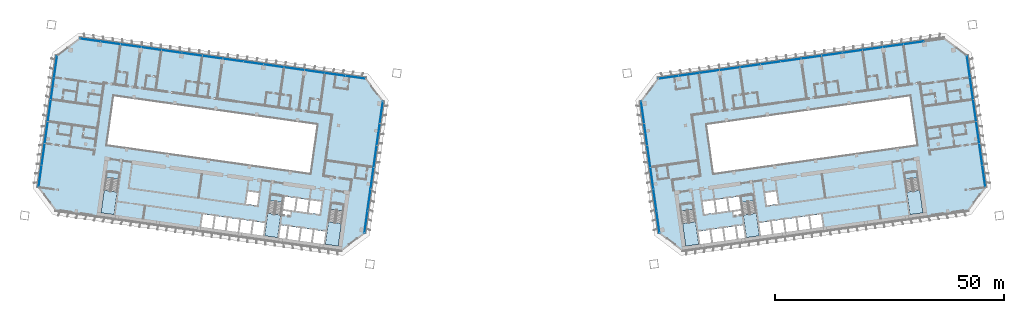
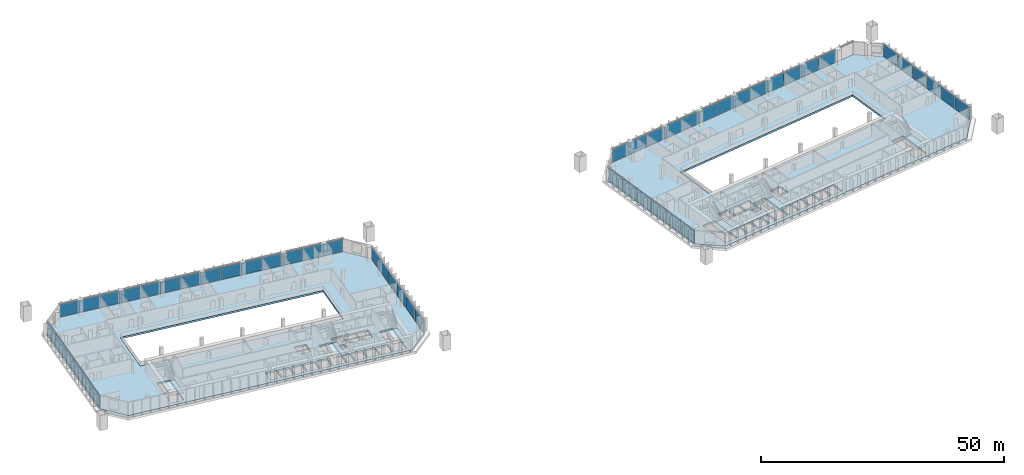
# One storey, part 12 of 24: 51 plates, 8 slabs, 12 elements without a shape of their own.
"""IFC4 building model written with IfcOpenShell, lengths in metres."""

from ifc_helpers import new_model, si_unit, direction, frame, origin, origin_2d, place, context, subcontext, project, spatial, polyline, rectangle, outline, extrude, material, layer, layer_set, type_object, element, aggregate, save


model = new_model("IFC4")

# Units and contexts
model_context = context("Model", 3, precision=1e-05, world=origin(), true_north=direction((0.0, 1.0)))
body_context = subcontext(model_context, "Body", "Model", "MODEL_VIEW")
ifc_project = project(units=[si_unit("LENGTHUNIT", "METRE"), si_unit("AREAUNIT", "SQUARE_METRE"), si_unit("VOLUMEUNIT", "CUBIC_METRE"), si_unit("PLANEANGLEUNIT", "RADIAN"), si_unit("MASSUNIT", "GRAM", prefix="KILO")], contexts=[model_context])

# Site, building, storey
site_placement = place(None, origin())
site = spatial("IfcSite", under=ifc_project, at=site_placement, CompositionType="ELEMENT")
building_placement = place(site_placement, origin())
building = spatial("IfcBuilding", under=site, at=building_placement, Name="Mirante Cascada Hotel Towers", CompositionType="ELEMENT")
storey_placement = place(building_placement, frame((0.0, 0.0, 81.3)))
storey = spatial("IfcBuildingStorey", under=building, at=storey_placement, Name="L17", CompositionType="ELEMENT", Elevation=81.3)

# Curtain wall, plates
ifc_material_1 = material(Name="Aluminium mullion and transom frame with clear laminated glass", Category="aluminium")
curtain_wall_type_1 = type_object("IfcCurtainWallType", Name="Ribbon curtain wall ECW1", PredefinedType="NOTDEFINED", material=ifc_material_1)
curtain_wall_1_placement = place(storey_placement, origin())
curtain_wall_1 = element("IfcCurtainWall", 1, at=curtain_wall_1_placement, inside=storey, type_object=curtain_wall_type_1, Name="Front ribbon wall T1 L17", PredefinedType="NOTDEFINED")
ifc_material_2 = material(Name="Clear laminated glass", Category="glass")
ifc_layer_1 = layer(ifc_material_2, 0.036)
ifc_layer_set_1 = layer_set([ifc_layer_1], Name="ECW1 glass panel 36")
plate_type_1 = type_object("IfcPlateType", Name="ECW1 glass panel 36", PredefinedType="CURTAIN_PANEL", material=ifc_layer_set_1)
plate_1_placement = place(storey_placement, frame((-91.9184, 25.7373, 0.1), z_axis=(0.0, 0.0, 1.0), x_axis=(0.9902681, -0.1391731, 0.0)))
plate_1 = element("IfcPlate", 2, at=plate_1_placement, type_object=plate_type_1, Name="ECW1 panel 1", PredefinedType="CURTAIN_PANEL", context=body_context, shape_type="SweptSolid", body=[
    extrude(rectangle(XDim=4.3936, YDim=0.036, at=origin_2d()), origin(), (0.0, 0.0, 1.0), 3.15),
])
plate_2_placement = place(storey_placement, frame((-87.487, 25.1145, 0.1), z_axis=(0.0, 0.0, 1.0), x_axis=(0.9902681, -0.1391731, 0.0)))
plate_2 = element("IfcPlate", 3, at=plate_2_placement, type_object=plate_type_1, Name="ECW1 panel 2", PredefinedType="CURTAIN_PANEL", context=body_context, shape_type="SweptSolid", body=[
    extrude(rectangle(XDim=4.4261, YDim=0.036, at=origin_2d()), origin(), (0.0, 0.0, 1.0), 3.15),
])
plate_3_placement = place(storey_placement, frame((-83.0396, 24.4895, 0.1), z_axis=(0.0, 0.0, 1.0), x_axis=(0.9902681, -0.1391731, 0.0)))
plate_3 = element("IfcPlate", 4, at=plate_3_placement, type_object=plate_type_1, Name="ECW1 panel 3", PredefinedType="CURTAIN_PANEL", context=body_context, shape_type="SweptSolid", body=[
    extrude(rectangle(XDim=4.4261, YDim=0.036, at=origin_2d()), origin(), (0.0, 0.0, 1.0), 3.15),
])
plate_4_placement = place(storey_placement, frame((-78.5922, 23.8644, 0.1), z_axis=(0.0, 0.0, 1.0), x_axis=(0.9902681, -0.1391731, 0.0)))
plate_4 = element("IfcPlate", 5, at=plate_4_placement, type_object=plate_type_1, Name="ECW1 panel 4", PredefinedType="CURTAIN_PANEL", context=body_context, shape_type="SweptSolid", body=[
    extrude(rectangle(XDim=4.4261, YDim=0.036, at=origin_2d()), origin(), (0.0, 0.0, 1.0), 3.15),
])
plate_5_placement = place(storey_placement, frame((-74.1448, 23.2394, 0.1), z_axis=(0.0, 0.0, 1.0), x_axis=(0.9902681, -0.1391731, 0.0)))
plate_5 = element("IfcPlate", 6, at=plate_5_placement, type_object=plate_type_1, Name="ECW1 panel 5", PredefinedType="CURTAIN_PANEL", context=body_context, shape_type="SweptSolid", body=[
    extrude(rectangle(XDim=4.4261, YDim=0.036, at=origin_2d()), origin(), (0.0, 0.0, 1.0), 3.15),
])
plate_6_placement = place(storey_placement, frame((-69.6974, 22.6144, 0.1), z_axis=(0.0, 0.0, 1.0), x_axis=(0.9902681, -0.1391731, 0.0)))
plate_6 = element("IfcPlate", 7, at=plate_6_placement, type_object=plate_type_1, Name="ECW1 panel 6", PredefinedType="CURTAIN_PANEL", context=body_context, shape_type="SweptSolid", body=[
    extrude(rectangle(XDim=4.4261, YDim=0.036, at=origin_2d()), origin(), (0.0, 0.0, 1.0), 3.15),
])
plate_7_placement = place(storey_placement, frame((-65.2499, 21.9893, 0.1), z_axis=(0.0, 0.0, 1.0), x_axis=(0.9902681, -0.1391731, 0.0)))
plate_7 = element("IfcPlate", 8, at=plate_7_placement, type_object=plate_type_1, Name="ECW1 panel 7", PredefinedType="CURTAIN_PANEL", context=body_context, shape_type="SweptSolid", body=[
    extrude(rectangle(XDim=4.4261, YDim=0.036, at=origin_2d()), origin(), (0.0, 0.0, 1.0), 3.15),
])
plate_8_placement = place(storey_placement, frame((-60.8025, 21.3643, 0.1), z_axis=(0.0, 0.0, 1.0), x_axis=(0.9902681, -0.1391731, 0.0)))
plate_8 = element("IfcPlate", 9, at=plate_8_placement, type_object=plate_type_1, Name="ECW1 panel 8", PredefinedType="CURTAIN_PANEL", context=body_context, shape_type="SweptSolid", body=[
    extrude(rectangle(XDim=4.4261, YDim=0.036, at=origin_2d()), origin(), (0.0, 0.0, 1.0), 3.15),
])
plate_9_placement = place(storey_placement, frame((-56.3551, 20.7392, 0.1), z_axis=(0.0, 0.0, 1.0), x_axis=(0.9902681, -0.1391731, 0.0)))
plate_9 = element("IfcPlate", 10, at=plate_9_placement, type_object=plate_type_1, Name="ECW1 panel 9", PredefinedType="CURTAIN_PANEL", context=body_context, shape_type="SweptSolid", body=[
    extrude(rectangle(XDim=4.4261, YDim=0.036, at=origin_2d()), origin(), (0.0, 0.0, 1.0), 3.15),
])
plate_10_placement = place(storey_placement, frame((-51.9077, 20.1142, 0.1), z_axis=(0.0, 0.0, 1.0), x_axis=(0.9902681, -0.1391731, 0.0)))
plate_10 = element("IfcPlate", 11, at=plate_10_placement, type_object=plate_type_1, Name="ECW1 panel 10", PredefinedType="CURTAIN_PANEL", context=body_context, shape_type="SweptSolid", body=[
    extrude(rectangle(XDim=4.4261, YDim=0.036, at=origin_2d()), origin(), (0.0, 0.0, 1.0), 3.15),
])
plate_11_placement = place(storey_placement, frame((-47.4603, 19.4891, 0.1), z_axis=(0.0, 0.0, 1.0), x_axis=(0.9902681, -0.1391731, 0.0)))
plate_11 = element("IfcPlate", 12, at=plate_11_placement, type_object=plate_type_1, Name="ECW1 panel 11", PredefinedType="CURTAIN_PANEL", context=body_context, shape_type="SweptSolid", body=[
    extrude(rectangle(XDim=4.4261, YDim=0.036, at=origin_2d()), origin(), (0.0, 0.0, 1.0), 3.15),
])
plate_12_placement = place(storey_placement, frame((-43.0129, 18.8641, 0.1), z_axis=(0.0, 0.0, 1.0), x_axis=(0.9902681, -0.1391731, 0.0)))
plate_12 = element("IfcPlate", 13, at=plate_12_placement, type_object=plate_type_1, Name="ECW1 panel 12", PredefinedType="CURTAIN_PANEL", context=body_context, shape_type="SweptSolid", body=[
    extrude(rectangle(XDim=4.4261, YDim=0.036, at=origin_2d()), origin(), (0.0, 0.0, 1.0), 3.15),
])
plate_13_placement = place(storey_placement, frame((-38.5654, 18.239, 0.1), z_axis=(0.0, 0.0, 1.0), x_axis=(0.9902681, -0.1391731, 0.0)))
plate_13 = element("IfcPlate", 14, at=plate_13_placement, type_object=plate_type_1, Name="ECW1 panel 13", PredefinedType="CURTAIN_PANEL", context=body_context, shape_type="SweptSolid", body=[
    extrude(rectangle(XDim=4.4261, YDim=0.036, at=origin_2d()), origin(), (0.0, 0.0, 1.0), 3.15),
])
plate_14_placement = place(storey_placement, frame((-34.1341, 17.6163, 0.1), z_axis=(0.0, 0.0, 1.0), x_axis=(0.9902681, -0.1391731, 0.0)))
plate_14 = element("IfcPlate", 15, at=plate_14_placement, type_object=plate_type_1, Name="ECW1 panel 14", PredefinedType="CURTAIN_PANEL", context=body_context, shape_type="SweptSolid", body=[
    extrude(rectangle(XDim=4.3936, YDim=0.036, at=origin_2d()), origin(), (0.0, 0.0, 1.0), 3.15),
])
aggregate(curtain_wall_1, [plate_1, plate_2, plate_3, plate_4, plate_5, plate_6, plate_7, plate_8, plate_9, plate_10, plate_11, plate_12, plate_13, plate_14])

curtain_wall_2_placement = place(storey_placement, origin())
curtain_wall_2 = element("IfcCurtainWall", 16, at=curtain_wall_2_placement, inside=storey, type_object=curtain_wall_type_1, Name="Front ribbon wall T2 L17", PredefinedType="NOTDEFINED")
plate_15_placement = place(storey_placement, frame((87.487, 25.1145, 0.1), z_axis=(0.0, 0.0, 1.0), x_axis=(-0.9902681, -0.1391731, 0.0)))
plate_15 = element("IfcPlate", 17, at=plate_15_placement, type_object=plate_type_1, Name="ECW1 panel 2", PredefinedType="CURTAIN_PANEL", context=body_context, shape_type="SweptSolid", body=[
    extrude(rectangle(XDim=4.4261, YDim=0.036, at=origin_2d()), origin(), (0.0, 0.0, 1.0), 3.15),
])
plate_16_placement = place(storey_placement, frame((83.0396, 24.4895, 0.1), z_axis=(0.0, 0.0, 1.0), x_axis=(-0.9902681, -0.1391731, 0.0)))
plate_16 = element("IfcPlate", 18, at=plate_16_placement, type_object=plate_type_1, Name="ECW1 panel 3", PredefinedType="CURTAIN_PANEL", context=body_context, shape_type="SweptSolid", body=[
    extrude(rectangle(XDim=4.4261, YDim=0.036, at=origin_2d()), origin(), (0.0, 0.0, 1.0), 3.15),
])
plate_17_placement = place(storey_placement, frame((78.5922, 23.8644, 0.1), z_axis=(0.0, 0.0, 1.0), x_axis=(-0.9902681, -0.1391731, 0.0)))
plate_17 = element("IfcPlate", 19, at=plate_17_placement, type_object=plate_type_1, Name="ECW1 panel 4", PredefinedType="CURTAIN_PANEL", context=body_context, shape_type="SweptSolid", body=[
    extrude(rectangle(XDim=4.4261, YDim=0.036, at=origin_2d()), origin(), (0.0, 0.0, 1.0), 3.15),
])
plate_18_placement = place(storey_placement, frame((74.1448, 23.2394, 0.1), z_axis=(0.0, 0.0, 1.0), x_axis=(-0.9902681, -0.1391731, 0.0)))
plate_18 = element("IfcPlate", 20, at=plate_18_placement, type_object=plate_type_1, Name="ECW1 panel 5", PredefinedType="CURTAIN_PANEL", context=body_context, shape_type="SweptSolid", body=[
    extrude(rectangle(XDim=4.4261, YDim=0.036, at=origin_2d()), origin(), (0.0, 0.0, 1.0), 3.15),
])
plate_19_placement = place(storey_placement, frame((69.6974, 22.6144, 0.1), z_axis=(0.0, 0.0, 1.0), x_axis=(-0.9902681, -0.1391731, 0.0)))
plate_19 = element("IfcPlate", 21, at=plate_19_placement, type_object=plate_type_1, Name="ECW1 panel 6", PredefinedType="CURTAIN_PANEL", context=body_context, shape_type="SweptSolid", body=[
    extrude(rectangle(XDim=4.4261, YDim=0.036, at=origin_2d()), origin(), (0.0, 0.0, 1.0), 3.15),
])
plate_20_placement = place(storey_placement, frame((65.2499, 21.9893, 0.1), z_axis=(0.0, 0.0, 1.0), x_axis=(-0.9902681, -0.1391731, 0.0)))
plate_20 = element("IfcPlate", 22, at=plate_20_placement, type_object=plate_type_1, Name="ECW1 panel 7", PredefinedType="CURTAIN_PANEL", context=body_context, shape_type="SweptSolid", body=[
    extrude(rectangle(XDim=4.4261, YDim=0.036, at=origin_2d()), origin(), (0.0, 0.0, 1.0), 3.15),
])
plate_21_placement = place(storey_placement, frame((60.8025, 21.3643, 0.1), z_axis=(0.0, 0.0, 1.0), x_axis=(-0.9902681, -0.1391731, 0.0)))
plate_21 = element("IfcPlate", 23, at=plate_21_placement, type_object=plate_type_1, Name="ECW1 panel 8", PredefinedType="CURTAIN_PANEL", context=body_context, shape_type="SweptSolid", body=[
    extrude(rectangle(XDim=4.4261, YDim=0.036, at=origin_2d()), origin(), (0.0, 0.0, 1.0), 3.15),
])
plate_22_placement = place(storey_placement, frame((56.3551, 20.7392, 0.1), z_axis=(0.0, 0.0, 1.0), x_axis=(-0.9902681, -0.1391731, 0.0)))
plate_22 = element("IfcPlate", 24, at=plate_22_placement, type_object=plate_type_1, Name="ECW1 panel 9", PredefinedType="CURTAIN_PANEL", context=body_context, shape_type="SweptSolid", body=[
    extrude(rectangle(XDim=4.4261, YDim=0.036, at=origin_2d()), origin(), (0.0, 0.0, 1.0), 3.15),
])
plate_23_placement = place(storey_placement, frame((51.9077, 20.1142, 0.1), z_axis=(0.0, 0.0, 1.0), x_axis=(-0.9902681, -0.1391731, 0.0)))
plate_23 = element("IfcPlate", 25, at=plate_23_placement, type_object=plate_type_1, Name="ECW1 panel 10", PredefinedType="CURTAIN_PANEL", context=body_context, shape_type="SweptSolid", body=[
    extrude(rectangle(XDim=4.4261, YDim=0.036, at=origin_2d()), origin(), (0.0, 0.0, 1.0), 3.15),
])
plate_24_placement = place(storey_placement, frame((47.4603, 19.4891, 0.1), z_axis=(0.0, 0.0, 1.0), x_axis=(-0.9902681, -0.1391731, 0.0)))
plate_24 = element("IfcPlate", 26, at=plate_24_placement, type_object=plate_type_1, Name="ECW1 panel 11", PredefinedType="CURTAIN_PANEL", context=body_context, shape_type="SweptSolid", body=[
    extrude(rectangle(XDim=4.4261, YDim=0.036, at=origin_2d()), origin(), (0.0, 0.0, 1.0), 3.15),
])
plate_25_placement = place(storey_placement, frame((43.0129, 18.8641, 0.1), z_axis=(0.0, 0.0, 1.0), x_axis=(-0.9902681, -0.1391731, 0.0)))
plate_25 = element("IfcPlate", 27, at=plate_25_placement, type_object=plate_type_1, Name="ECW1 panel 12", PredefinedType="CURTAIN_PANEL", context=body_context, shape_type="SweptSolid", body=[
    extrude(rectangle(XDim=4.4261, YDim=0.036, at=origin_2d()), origin(), (0.0, 0.0, 1.0), 3.15),
])
plate_26_placement = place(storey_placement, frame((38.5654, 18.239, 0.1), z_axis=(0.0, 0.0, 1.0), x_axis=(-0.9902681, -0.1391731, 0.0)))
plate_26 = element("IfcPlate", 28, at=plate_26_placement, type_object=plate_type_1, Name="ECW1 panel 13", PredefinedType="CURTAIN_PANEL", context=body_context, shape_type="SweptSolid", body=[
    extrude(rectangle(XDim=4.4261, YDim=0.036, at=origin_2d()), origin(), (0.0, 0.0, 1.0), 3.15),
])
plate_27_placement = place(storey_placement, frame((34.1341, 17.6163, 0.1), z_axis=(0.0, 0.0, 1.0), x_axis=(-0.9902681, -0.1391731, 0.0)))
plate_27 = element("IfcPlate", 29, at=plate_27_placement, type_object=plate_type_1, Name="ECW1 panel 14", PredefinedType="CURTAIN_PANEL", context=body_context, shape_type="SweptSolid", body=[
    extrude(rectangle(XDim=4.3936, YDim=0.036, at=origin_2d()), origin(), (0.0, 0.0, 1.0), 3.15),
])
aggregate(curtain_wall_2, [plate_15, plate_16, plate_17, plate_18, plate_19, plate_20, plate_21, plate_22, plate_23, plate_24, plate_25, plate_26, plate_27])

ifc_material_3 = material(Name="Aluminium mullion and transom frame with clear laminated glass", Category="aluminium")
curtain_wall_type_2 = type_object("IfcCurtainWallType", Name="End ribbon curtain wall ECW2", PredefinedType="NOTDEFINED", material=ifc_material_3)
curtain_wall_3_placement = place(storey_placement, origin())
curtain_wall_3 = element("IfcCurtainWall", 30, at=curtain_wall_3_placement, inside=storey, type_object=curtain_wall_type_2, Name="Inner end wall T1 L17", PredefinedType="NOTDEFINED")
ifc_material_4 = material(Name="Clear laminated glass", Category="glass")
ifc_layer_2 = layer(ifc_material_4, 0.034)
ifc_layer_set_2 = layer_set([ifc_layer_2], Name="ECW2 glass panel 34")
plate_type_2 = type_object("IfcPlateType", Name="ECW2 glass panel 34", PredefinedType="CURTAIN_PANEL", material=ifc_layer_set_2)
plate_28_placement = place(storey_placement, frame((-28.4763, 9.9193, 0.1), z_axis=(0.0, 0.0, 1.0), x_axis=(-0.1391731, -0.9902681, 0.0)))
plate_28 = element("IfcPlate", 31, at=plate_28_placement, type_object=plate_type_2, Name="ECW2 panel 1", PredefinedType="CURTAIN_PANEL", context=body_context, shape_type="SweptSolid", body=[
    extrude(rectangle(XDim=4.7151, YDim=0.034, at=origin_2d()), origin(), (0.0, 0.0, 1.0), 3.15),
])
plate_29_placement = place(storey_placement, frame((-29.1439, 5.1696, 0.1), z_axis=(0.0, 0.0, 1.0), x_axis=(-0.1391731, -0.9902681, 0.0)))
plate_29 = element("IfcPlate", 32, at=plate_29_placement, type_object=plate_type_2, Name="ECW2 panel 2", PredefinedType="CURTAIN_PANEL", context=body_context, shape_type="SweptSolid", body=[
    extrude(rectangle(XDim=4.7476, YDim=0.034, at=origin_2d()), origin(), (0.0, 0.0, 1.0), 3.15),
])
plate_30_placement = place(storey_placement, frame((-29.8136, 0.4038, 0.1), z_axis=(0.0, 0.0, 1.0), x_axis=(-0.1391731, -0.9902681, 0.0)))
plate_30 = element("IfcPlate", 33, at=plate_30_placement, type_object=plate_type_2, Name="ECW2 panel 3", PredefinedType="CURTAIN_PANEL", context=body_context, shape_type="SweptSolid", body=[
    extrude(rectangle(XDim=4.7476, YDim=0.034, at=origin_2d()), origin(), (0.0, 0.0, 1.0), 3.15),
])
plate_31_placement = place(storey_placement, frame((-30.4834, -4.362, 0.1), z_axis=(0.0, 0.0, 1.0), x_axis=(-0.1391731, -0.9902681, 0.0)))
plate_31 = element("IfcPlate", 34, at=plate_31_placement, type_object=plate_type_2, Name="ECW2 panel 4", PredefinedType="CURTAIN_PANEL", context=body_context, shape_type="SweptSolid", body=[
    extrude(rectangle(XDim=4.7476, YDim=0.034, at=origin_2d()), origin(), (0.0, 0.0, 1.0), 3.15),
])
plate_32_placement = place(storey_placement, frame((-31.1532, -9.1278, 0.1), z_axis=(0.0, 0.0, 1.0), x_axis=(-0.1391731, -0.9902681, 0.0)))
plate_32 = element("IfcPlate", 35, at=plate_32_placement, type_object=plate_type_2, Name="ECW2 panel 5", PredefinedType="CURTAIN_PANEL", context=body_context, shape_type="SweptSolid", body=[
    extrude(rectangle(XDim=4.7476, YDim=0.034, at=origin_2d()), origin(), (0.0, 0.0, 1.0), 3.15),
])
plate_33_placement = place(storey_placement, frame((-31.8207, -13.8775, 0.1), z_axis=(0.0, 0.0, 1.0), x_axis=(-0.1391731, -0.9902681, 0.0)))
plate_33 = element("IfcPlate", 36, at=plate_33_placement, type_object=plate_type_2, Name="ECW2 panel 6", PredefinedType="CURTAIN_PANEL", context=body_context, shape_type="SweptSolid", body=[
    extrude(rectangle(XDim=4.7151, YDim=0.034, at=origin_2d()), origin(), (0.0, 0.0, 1.0), 3.15),
])
aggregate(curtain_wall_3, [plate_28, plate_29, plate_30, plate_31, plate_32, plate_33])

curtain_wall_4_placement = place(storey_placement, origin())
curtain_wall_4 = element("IfcCurtainWall", 37, at=curtain_wall_4_placement, inside=storey, type_object=curtain_wall_type_2, Name="Outer end wall T1 L17", PredefinedType="NOTDEFINED")
plate_34_placement = place(storey_placement, frame((-102.823, -3.8988, 0.1), z_axis=(0.0, 0.0, 1.0), x_axis=(0.1391731, 0.9902681, 0.0)))
plate_34 = element("IfcPlate", 38, at=plate_34_placement, type_object=plate_type_2, Name="ECW2 panel 1", PredefinedType="CURTAIN_PANEL", context=body_context, shape_type="SweptSolid", body=[
    extrude(rectangle(XDim=4.7151, YDim=0.034, at=origin_2d()), origin(), (0.0, 0.0, 1.0), 3.15),
])
plate_35_placement = place(storey_placement, frame((-102.1554, 0.8509, 0.1), z_axis=(0.0, 0.0, 1.0), x_axis=(0.1391731, 0.9902681, 0.0)))
plate_35 = element("IfcPlate", 39, at=plate_35_placement, type_object=plate_type_2, Name="ECW2 panel 2", PredefinedType="CURTAIN_PANEL", context=body_context, shape_type="SweptSolid", body=[
    extrude(rectangle(XDim=4.7476, YDim=0.034, at=origin_2d()), origin(), (0.0, 0.0, 1.0), 3.15),
])
plate_36_placement = place(storey_placement, frame((-101.4857, 5.6167, 0.1), z_axis=(0.0, 0.0, 1.0), x_axis=(0.1391731, 0.9902681, 0.0)))
plate_36 = element("IfcPlate", 40, at=plate_36_placement, type_object=plate_type_2, Name="ECW2 panel 3", PredefinedType="CURTAIN_PANEL", context=body_context, shape_type="SweptSolid", body=[
    extrude(rectangle(XDim=4.7476, YDim=0.034, at=origin_2d()), origin(), (0.0, 0.0, 1.0), 3.15),
])
plate_37_placement = place(storey_placement, frame((-100.8159, 10.3825, 0.1), z_axis=(0.0, 0.0, 1.0), x_axis=(0.1391731, 0.9902681, 0.0)))
plate_37 = element("IfcPlate", 41, at=plate_37_placement, type_object=plate_type_2, Name="ECW2 panel 4", PredefinedType="CURTAIN_PANEL", context=body_context, shape_type="SweptSolid", body=[
    extrude(rectangle(XDim=4.7476, YDim=0.034, at=origin_2d()), origin(), (0.0, 0.0, 1.0), 3.15),
])
plate_38_placement = place(storey_placement, frame((-100.1461, 15.1483, 0.1), z_axis=(0.0, 0.0, 1.0), x_axis=(0.1391731, 0.9902681, 0.0)))
plate_38 = element("IfcPlate", 42, at=plate_38_placement, type_object=plate_type_2, Name="ECW2 panel 5", PredefinedType="CURTAIN_PANEL", context=body_context, shape_type="SweptSolid", body=[
    extrude(rectangle(XDim=4.7476, YDim=0.034, at=origin_2d()), origin(), (0.0, 0.0, 1.0), 3.15),
])
plate_39_placement = place(storey_placement, frame((-99.4786, 19.898, 0.1), z_axis=(0.0, 0.0, 1.0), x_axis=(0.1391731, 0.9902681, 0.0)))
plate_39 = element("IfcPlate", 43, at=plate_39_placement, type_object=plate_type_2, Name="ECW2 panel 6", PredefinedType="CURTAIN_PANEL", context=body_context, shape_type="SweptSolid", body=[
    extrude(rectangle(XDim=4.7151, YDim=0.034, at=origin_2d()), origin(), (0.0, 0.0, 1.0), 3.15),
])
aggregate(curtain_wall_4, [plate_34, plate_35, plate_36, plate_37, plate_38, plate_39])

curtain_wall_5_placement = place(storey_placement, origin())
curtain_wall_5 = element("IfcCurtainWall", 44, at=curtain_wall_5_placement, inside=storey, type_object=curtain_wall_type_2, Name="Inner end wall T2 L17", PredefinedType="NOTDEFINED")
plate_40_placement = place(storey_placement, frame((28.4763, 9.9193, 0.1), z_axis=(0.0, 0.0, 1.0), x_axis=(0.1391731, -0.9902681, 0.0)))
plate_40 = element("IfcPlate", 45, at=plate_40_placement, type_object=plate_type_2, Name="ECW2 panel 1", PredefinedType="CURTAIN_PANEL", context=body_context, shape_type="SweptSolid", body=[
    extrude(rectangle(XDim=4.7151, YDim=0.034, at=origin_2d()), origin(), (0.0, 0.0, 1.0), 3.15),
])
plate_41_placement = place(storey_placement, frame((29.1439, 5.1696, 0.1), z_axis=(0.0, 0.0, 1.0), x_axis=(0.1391731, -0.9902681, 0.0)))
plate_41 = element("IfcPlate", 46, at=plate_41_placement, type_object=plate_type_2, Name="ECW2 panel 2", PredefinedType="CURTAIN_PANEL", context=body_context, shape_type="SweptSolid", body=[
    extrude(rectangle(XDim=4.7476, YDim=0.034, at=origin_2d()), origin(), (0.0, 0.0, 1.0), 3.15),
])
plate_42_placement = place(storey_placement, frame((29.8136, 0.4038, 0.1), z_axis=(0.0, 0.0, 1.0), x_axis=(0.1391731, -0.9902681, 0.0)))
plate_42 = element("IfcPlate", 47, at=plate_42_placement, type_object=plate_type_2, Name="ECW2 panel 3", PredefinedType="CURTAIN_PANEL", context=body_context, shape_type="SweptSolid", body=[
    extrude(rectangle(XDim=4.7476, YDim=0.034, at=origin_2d()), origin(), (0.0, 0.0, 1.0), 3.15),
])
plate_43_placement = place(storey_placement, frame((30.4834, -4.362, 0.1), z_axis=(0.0, 0.0, 1.0), x_axis=(0.1391731, -0.9902681, 0.0)))
plate_43 = element("IfcPlate", 48, at=plate_43_placement, type_object=plate_type_2, Name="ECW2 panel 4", PredefinedType="CURTAIN_PANEL", context=body_context, shape_type="SweptSolid", body=[
    extrude(rectangle(XDim=4.7476, YDim=0.034, at=origin_2d()), origin(), (0.0, 0.0, 1.0), 3.15),
])
plate_44_placement = place(storey_placement, frame((31.1532, -9.1278, 0.1), z_axis=(0.0, 0.0, 1.0), x_axis=(0.1391731, -0.9902681, 0.0)))
plate_44 = element("IfcPlate", 49, at=plate_44_placement, type_object=plate_type_2, Name="ECW2 panel 5", PredefinedType="CURTAIN_PANEL", context=body_context, shape_type="SweptSolid", body=[
    extrude(rectangle(XDim=4.7476, YDim=0.034, at=origin_2d()), origin(), (0.0, 0.0, 1.0), 3.15),
])
plate_45_placement = place(storey_placement, frame((31.8207, -13.8775, 0.1), z_axis=(0.0, 0.0, 1.0), x_axis=(0.1391731, -0.9902681, 0.0)))
plate_45 = element("IfcPlate", 50, at=plate_45_placement, type_object=plate_type_2, Name="ECW2 panel 6", PredefinedType="CURTAIN_PANEL", context=body_context, shape_type="SweptSolid", body=[
    extrude(rectangle(XDim=4.7151, YDim=0.034, at=origin_2d()), origin(), (0.0, 0.0, 1.0), 3.15),
])
aggregate(curtain_wall_5, [plate_40, plate_41, plate_42, plate_43, plate_44, plate_45])

curtain_wall_6_placement = place(storey_placement, origin())
curtain_wall_6 = element("IfcCurtainWall", 51, at=curtain_wall_6_placement, inside=storey, type_object=curtain_wall_type_2, Name="Outer end wall T2 L17", PredefinedType="NOTDEFINED")
plate_46_placement = place(storey_placement, frame((102.823, -3.8988, 0.1), z_axis=(0.0, 0.0, 1.0), x_axis=(-0.1391731, 0.9902681, 0.0)))
plate_46 = element("IfcPlate", 52, at=plate_46_placement, type_object=plate_type_2, Name="ECW2 panel 1", PredefinedType="CURTAIN_PANEL", context=body_context, shape_type="SweptSolid", body=[
    extrude(rectangle(XDim=4.7151, YDim=0.034, at=origin_2d()), origin(), (0.0, 0.0, 1.0), 3.15),
])
plate_47_placement = place(storey_placement, frame((102.1554, 0.8509, 0.1), z_axis=(0.0, 0.0, 1.0), x_axis=(-0.1391731, 0.9902681, 0.0)))
plate_47 = element("IfcPlate", 53, at=plate_47_placement, type_object=plate_type_2, Name="ECW2 panel 2", PredefinedType="CURTAIN_PANEL", context=body_context, shape_type="SweptSolid", body=[
    extrude(rectangle(XDim=4.7476, YDim=0.034, at=origin_2d()), origin(), (0.0, 0.0, 1.0), 3.15),
])
plate_48_placement = place(storey_placement, frame((101.4857, 5.6167, 0.1), z_axis=(0.0, 0.0, 1.0), x_axis=(-0.1391731, 0.9902681, 0.0)))
plate_48 = element("IfcPlate", 54, at=plate_48_placement, type_object=plate_type_2, Name="ECW2 panel 3", PredefinedType="CURTAIN_PANEL", context=body_context, shape_type="SweptSolid", body=[
    extrude(rectangle(XDim=4.7476, YDim=0.034, at=origin_2d()), origin(), (0.0, 0.0, 1.0), 3.15),
])
plate_49_placement = place(storey_placement, frame((100.8159, 10.3825, 0.1), z_axis=(0.0, 0.0, 1.0), x_axis=(-0.1391731, 0.9902681, 0.0)))
plate_49 = element("IfcPlate", 55, at=plate_49_placement, type_object=plate_type_2, Name="ECW2 panel 4", PredefinedType="CURTAIN_PANEL", context=body_context, shape_type="SweptSolid", body=[
    extrude(rectangle(XDim=4.7476, YDim=0.034, at=origin_2d()), origin(), (0.0, 0.0, 1.0), 3.15),
])
plate_50_placement = place(storey_placement, frame((100.1461, 15.1483, 0.1), z_axis=(0.0, 0.0, 1.0), x_axis=(-0.1391731, 0.9902681, 0.0)))
plate_50 = element("IfcPlate", 56, at=plate_50_placement, type_object=plate_type_2, Name="ECW2 panel 5", PredefinedType="CURTAIN_PANEL", context=body_context, shape_type="SweptSolid", body=[
    extrude(rectangle(XDim=4.7476, YDim=0.034, at=origin_2d()), origin(), (0.0, 0.0, 1.0), 3.15),
])
plate_51_placement = place(storey_placement, frame((99.4786, 19.898, 0.1), z_axis=(0.0, 0.0, 1.0), x_axis=(-0.1391731, 0.9902681, 0.0)))
plate_51 = element("IfcPlate", 57, at=plate_51_placement, type_object=plate_type_2, Name="ECW2 panel 6", PredefinedType="CURTAIN_PANEL", context=body_context, shape_type="SweptSolid", body=[
    extrude(rectangle(XDim=4.7151, YDim=0.034, at=origin_2d()), origin(), (0.0, 0.0, 1.0), 3.15),
])
aggregate(curtain_wall_6, [plate_46, plate_47, plate_48, plate_49, plate_50, plate_51])

# Stair, slab
ifc_material_5 = material(Name="Concrete C35/45", Category="concrete")
stair_type = type_object("IfcStairType", Name="Exit stair half-turn 1350 concrete C35/45", PredefinedType="HALF_TURN_STAIR", material=ifc_material_5)
stair_1_placement = place(storey_placement, origin())
stair_1 = element("IfcStair", 58, at=stair_1_placement, inside=storey, type_object=stair_type, Name="L17 Exit stair A", PredefinedType="HALF_TURN_STAIR")
ifc_material_6 = material(Name="Concrete C35/45", Category="concrete")
ifc_layer_3 = layer(ifc_material_6, 0.2)
ifc_layer_set_3 = layer_set([ifc_layer_3], Name="Exit stair landing 200 concrete C35/45")
slab_type_1 = type_object("IfcSlabType", Name="Exit stair landing 200 concrete C35/45", PredefinedType="LANDING", material=ifc_layer_set_3)
slab_1_placement = place(storey_placement, frame((0.0, 0.0, 1.7)))
slab_1 = element("IfcSlab", 59, at=slab_1_placement, type_object=slab_type_1, Name="ST1-A landing 1", PredefinedType="LANDING", context=body_context, shape_type="SweptSolid", body=[
    extrude(outline(polyline([(-39.9987, -13.8659), (-40.6887, -18.7757), (-37.8665, -19.1723), (-37.1765, -14.2626), (-39.9987, -13.8659)])), origin(), (0.0, 0.0, 1.0), 0.2),
])
aggregate(stair_1, [slab_1])

stair_2_placement = place(storey_placement, origin())
stair_2 = element("IfcStair", 60, at=stair_2_placement, inside=storey, type_object=stair_type, Name="L17 Exit stair B", PredefinedType="HALF_TURN_STAIR")
slab_2_placement = place(storey_placement, frame((0.0, 0.0, 1.7)))
slab_2 = element("IfcSlab", 61, at=slab_2_placement, type_object=slab_type_1, Name="ST1-B landing 1", PredefinedType="LANDING", context=body_context, shape_type="SweptSolid", body=[
    extrude(outline(polyline([(-53.2188, -12.008), (-53.9088, -16.9177), (-51.0866, -17.3144), (-50.3965, -12.4046), (-53.2188, -12.008)])), origin(), (0.0, 0.0, 1.0), 0.2),
])
aggregate(stair_2, [slab_2])

stair_3_placement = place(storey_placement, origin())
stair_3 = element("IfcStair", 62, at=stair_3_placement, inside=storey, type_object=stair_type, Name="L17 Exit stair C", PredefinedType="HALF_TURN_STAIR")
slab_3_placement = place(storey_placement, frame((0.0, 0.0, 1.7)))
slab_3 = element("IfcSlab", 63, at=slab_3_placement, type_object=slab_type_1, Name="ST1-C landing 1", PredefinedType="LANDING", context=body_context, shape_type="SweptSolid", body=[
    extrude(outline(polyline([(-88.8685, -6.9977), (-89.5585, -11.9075), (-86.7362, -12.3041), (-86.0462, -7.3944), (-88.8685, -6.9977)])), origin(), (0.0, 0.0, 1.0), 0.2),
])
aggregate(stair_3, [slab_3])

stair_4_placement = place(storey_placement, origin())
stair_4 = element("IfcStair", 64, at=stair_4_placement, inside=storey, type_object=stair_type, Name="L17 Exit stair A", PredefinedType="HALF_TURN_STAIR")
slab_4_placement = place(storey_placement, frame((0.0, 0.0, 1.7)))
slab_4 = element("IfcSlab", 65, at=slab_4_placement, type_object=slab_type_1, Name="ST2-A landing 1", PredefinedType="LANDING", context=body_context, shape_type="SweptSolid", body=[
    extrude(outline(polyline([(37.1765, -14.2626), (37.8665, -19.1723), (40.6887, -18.7757), (39.9987, -13.8659), (37.1765, -14.2626)])), origin(), (0.0, 0.0, 1.0), 0.2),
])
aggregate(stair_4, [slab_4])

stair_5_placement = place(storey_placement, origin())
stair_5 = element("IfcStair", 66, at=stair_5_placement, inside=storey, type_object=stair_type, Name="L17 Exit stair B", PredefinedType="HALF_TURN_STAIR")
slab_5_placement = place(storey_placement, frame((0.0, 0.0, 1.7)))
slab_5 = element("IfcSlab", 67, at=slab_5_placement, type_object=slab_type_1, Name="ST2-B landing 1", PredefinedType="LANDING", context=body_context, shape_type="SweptSolid", body=[
    extrude(outline(polyline([(50.3965, -12.4046), (51.0866, -17.3144), (53.9088, -16.9177), (53.2188, -12.008), (50.3965, -12.4046)])), origin(), (0.0, 0.0, 1.0), 0.2),
])
aggregate(stair_5, [slab_5])

stair_6_placement = place(storey_placement, origin())
stair_6 = element("IfcStair", 68, at=stair_6_placement, inside=storey, type_object=stair_type, Name="L17 Exit stair C", PredefinedType="HALF_TURN_STAIR")
slab_6_placement = place(storey_placement, frame((0.0, 0.0, 1.7)))
slab_6 = element("IfcSlab", 69, at=slab_6_placement, type_object=slab_type_1, Name="ST2-C landing 1", PredefinedType="LANDING", context=body_context, shape_type="SweptSolid", body=[
    extrude(outline(polyline([(86.0462, -7.3944), (86.7362, -12.3041), (89.5585, -11.9075), (88.8685, -6.9977), (86.0462, -7.3944)])), origin(), (0.0, 0.0, 1.0), 0.2),
])
aggregate(stair_6, [slab_6])

# Slabs
ifc_material_7 = material(Name="Concrete C40/50", Category="concrete")
ifc_layer_4 = layer(ifc_material_7, 0.45)
ifc_layer_set_4 = layer_set([ifc_layer_4], Name="Post-tensioned flat plate 450 Concrete C40/50")
slab_type_2 = type_object("IfcSlabType", Name="Post-tensioned flat plate 450 Concrete C40/50", PredefinedType="FLOOR", material=ifc_layer_set_4)
slab_7_placement = place(storey_placement, frame((0.0, 0.0, -0.45)))
element("IfcSlab", 70, at=slab_7_placement, inside=storey, type_object=slab_type_2, Name="Floor T1 L17", PredefinedType="FLOOR", context=body_context, shape_type="SweptSolid", body=[
    extrude(outline(polyline([(-32.018, -16.3589), (-27.982, 12.3589), (-31.8119, 17.4414), (-94.1988, 26.2093), (-99.2813, 22.3794), (-103.3173, -6.3384), (-99.4874, -11.4209), (-37.1005, -20.1888), (-32.018, -16.3589)]), holes=[polyline([(-43.0718, -15.6132), (-40.5961, -15.9612), (-40.9858, -18.7339), (-43.4615, -18.386), (-43.0718, -15.6132)]), polyline([(-45.8446, -15.2236), (-43.3689, -15.5715), (-43.7586, -18.3442), (-46.2342, -17.9963), (-45.8446, -15.2236)]), polyline([(-48.6173, -14.8339), (-46.1416, -15.1818), (-46.5313, -17.9546), (-49.007, -17.6066), (-48.6173, -14.8339)]), polyline([(-50.3998, -14.5834), (-48.9144, -14.7921), (-49.3041, -17.5649), (-50.7895, -17.3561), (-50.3998, -14.5834)]), polyline([(-36.7887, -11.5037), (-37.8665, -19.1723), (-40.6887, -18.7757), (-39.611, -11.107), (-36.7887, -11.5037)]), polyline([(-49.9544, -11.4145), (-48.1472, -11.6685), (-48.2829, -12.634), (-50.0901, -12.38), (-49.9544, -11.4145)]), polyline([(-43.9775, -9.124), (-41.5018, -9.472), (-41.8915, -12.2447), (-44.3672, -11.8968), (-43.9775, -9.124)]), polyline([(-47.1399, -11.5071), (-46.7503, -8.7344), (-44.2746, -9.0823), (-44.6643, -11.855), (-47.1399, -11.5071)]), polyline([(-49.9127, -11.1174), (-49.523, -8.3447), (-47.0473, -8.6926), (-47.437, -11.4654), (-49.9127, -11.1174)]), polyline([(-56.2919, -13.7553), (-53.8162, -14.1032), (-54.2059, -16.876), (-56.6816, -16.528), (-56.2919, -13.7553)]), polyline([(-59.0646, -13.3656), (-56.589, -13.7135), (-56.9787, -16.4863), (-59.4543, -16.1383), (-59.0646, -13.3656)]), polyline([(-61.8374, -12.9759), (-59.3617, -13.3238), (-59.7514, -16.0966), (-62.2271, -15.7487), (-61.8374, -12.9759)]), polyline([(-64.6101, -12.5862), (-62.1345, -12.9342), (-62.5242, -15.7069), (-64.9998, -15.359), (-64.6101, -12.5862)]), polyline([(-67.3829, -12.1965), (-64.9072, -12.5445), (-65.2969, -15.3172), (-67.7726, -14.9693), (-67.3829, -12.1965)]), polyline([(-50.0088, -9.6457), (-51.0866, -17.3144), (-53.9088, -16.9177), (-52.8311, -9.2491), (-50.0088, -9.6457)]), polyline([(-85.6585, -4.6355), (-86.7362, -12.3041), (-89.5585, -11.9075), (-88.4807, -4.2388), (-85.6585, -4.6355)]), polyline([(-57.9834, -9.9832), (-57.5937, -7.2104), (-55.118, -7.5583), (-55.5077, -10.3311), (-57.9834, -9.9832)]), polyline([(-88.4039, 2.7747), (-86.873, 13.6677), (-42.3109, 7.4049), (-43.8418, -3.4881), (-88.4039, 2.7747)])]), origin(), (0.0, 0.0, 1.0), 0.45),
])
slab_8_placement = place(storey_placement, frame((0.0, 0.0, -0.45)))
element("IfcSlab", 71, at=slab_8_placement, inside=storey, type_object=slab_type_2, Name="Floor T2 L17", PredefinedType="FLOOR", context=body_context, shape_type="SweptSolid", body=[
    extrude(outline(polyline([(32.018, -16.3589), (27.982, 12.3589), (31.8119, 17.4414), (94.1988, 26.2093), (99.2813, 22.3794), (103.3173, -6.3384), (99.4874, -11.4209), (37.1005, -20.1888), (32.018, -16.3589)]), holes=[polyline([(43.0718, -15.6132), (40.5961, -15.9612), (40.9858, -18.7339), (43.4615, -18.386), (43.0718, -15.6132)]), polyline([(45.8446, -15.2236), (43.3689, -15.5715), (43.7586, -18.3442), (46.2342, -17.9963), (45.8446, -15.2236)]), polyline([(48.6173, -14.8339), (46.1416, -15.1818), (46.5313, -17.9546), (49.007, -17.6066), (48.6173, -14.8339)]), polyline([(50.3998, -14.5834), (48.9144, -14.7921), (49.3041, -17.5649), (50.7895, -17.3561), (50.3998, -14.5834)]), polyline([(37.8665, -19.1723), (40.6887, -18.7757), (39.611, -11.107), (36.7887, -11.5037), (37.8665, -19.1723)]), polyline([(49.9544, -11.4145), (48.1472, -11.6685), (48.2829, -12.634), (50.0901, -12.38), (49.9544, -11.4145)]), polyline([(43.9775, -9.124), (41.5018, -9.472), (41.8915, -12.2447), (44.3672, -11.8968), (43.9775, -9.124)]), polyline([(47.1399, -11.5071), (46.7503, -8.7344), (44.2746, -9.0823), (44.6643, -11.855), (47.1399, -11.5071)]), polyline([(49.9127, -11.1174), (49.523, -8.3447), (47.0473, -8.6926), (47.437, -11.4654), (49.9127, -11.1174)]), polyline([(56.2919, -13.7553), (53.8162, -14.1032), (54.2059, -16.876), (56.6816, -16.528), (56.2919, -13.7553)]), polyline([(59.0646, -13.3656), (56.589, -13.7135), (56.9787, -16.4863), (59.4543, -16.1383), (59.0646, -13.3656)]), polyline([(61.8374, -12.9759), (59.3617, -13.3238), (59.7514, -16.0966), (62.2271, -15.7487), (61.8374, -12.9759)]), polyline([(64.6101, -12.5862), (62.1345, -12.9342), (62.5242, -15.7069), (64.9998, -15.359), (64.6101, -12.5862)]), polyline([(67.3829, -12.1965), (64.9072, -12.5445), (65.2969, -15.3172), (67.7726, -14.9693), (67.3829, -12.1965)]), polyline([(51.0866, -17.3144), (53.9088, -16.9177), (52.8311, -9.2491), (50.0088, -9.6457), (51.0866, -17.3144)]), polyline([(86.7362, -12.3041), (89.5585, -11.9075), (88.4807, -4.2388), (85.6585, -4.6355), (86.7362, -12.3041)]), polyline([(57.9834, -9.9832), (57.5937, -7.2104), (55.118, -7.5583), (55.5077, -10.3311), (57.9834, -9.9832)]), polyline([(88.4039, 2.7747), (86.873, 13.6677), (42.3109, 7.4049), (43.8418, -3.4881), (88.4039, 2.7747)])]), origin(), (0.0, 0.0, 1.0), 0.45),
])

save(model, "model.ifc")
